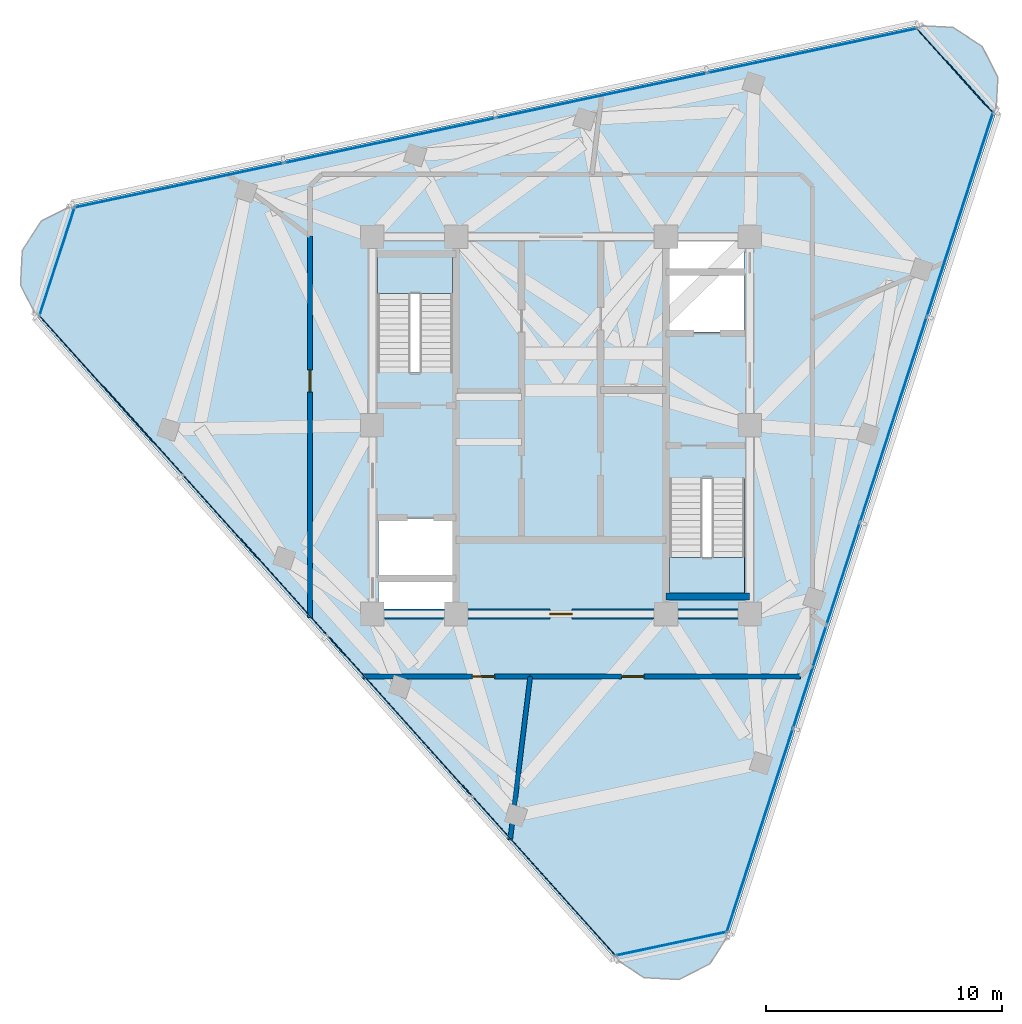
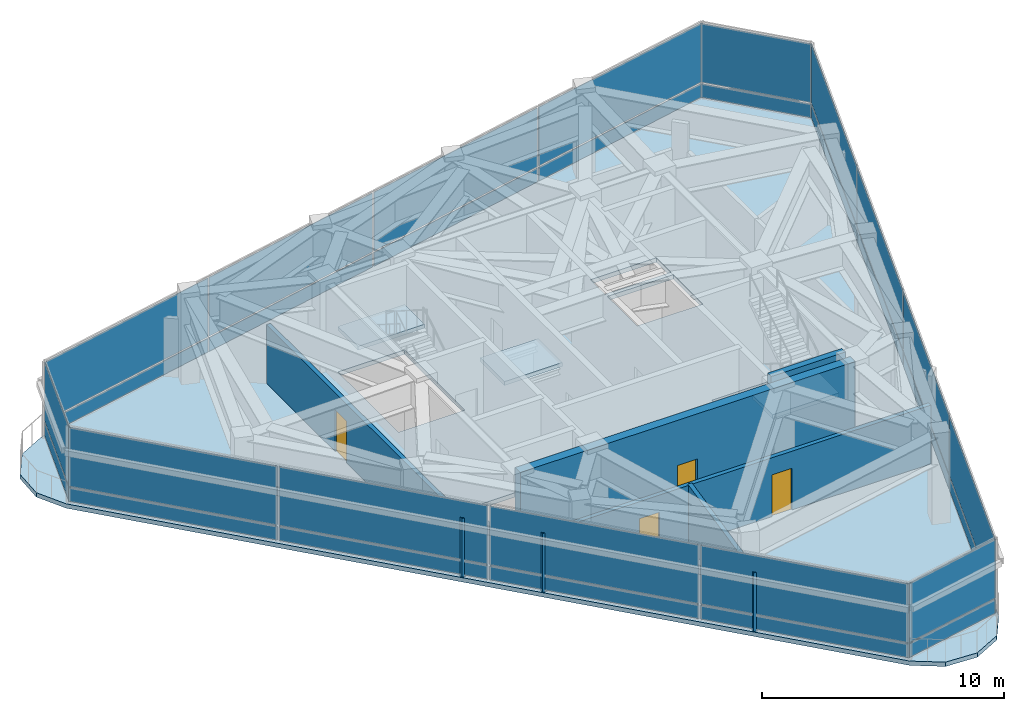
# One storey, part 6 of 10: 30 plates, 6 walls, 4 doors, 4 slabs, 4 openings, 8 elements without a shape of their own.
"""IFC4 building model written with IfcOpenShell, lengths in metres."""

from ifc_helpers import new_model, si_unit, direction, frame, frame_2d, origin, origin_2d, place, context, subcontext, project, spatial, polyline, rectangle, outline, extrude, material, layer, layer_set, type_object, element, fill, aggregate, save


model = new_model("IFC4")

# Units and contexts
model_context = context("Model", 3, precision=1e-05, world=origin(), true_north=direction((0.0, 1.0)))
body_context = subcontext(model_context, "Body", "Model", "MODEL_VIEW")
ifc_project = project(units=[si_unit("LENGTHUNIT", "METRE"), si_unit("AREAUNIT", "SQUARE_METRE"), si_unit("VOLUMEUNIT", "CUBIC_METRE"), si_unit("PLANEANGLEUNIT", "RADIAN"), si_unit("MASSUNIT", "GRAM", prefix="KILO")], contexts=[model_context])

# Site, building, storey
site_placement = place(None, origin())
site = spatial("IfcSite", under=ifc_project, at=site_placement, CompositionType="ELEMENT")
building_placement = place(site_placement, origin())
building = spatial("IfcBuilding", under=site, at=building_placement, Name="Terralouvre Media Tower", CompositionType="ELEMENT")
storey_placement = place(building_placement, frame((0.0, 0.0, 317.39990234375)))
storey = spatial("IfcBuildingStorey", under=building, at=storey_placement, Name="L82", CompositionType="ELEMENT", Elevation=317.39990234375)

# Slabs
ifc_material_1 = material(Name="Concrete C40/50", Category="concrete")
ifc_layer_1 = layer(ifc_material_1, 0.219970703125, Name="Crown Plant and Catwalk Slab S-CRN220")
ifc_layer_set_1 = layer_set([ifc_layer_1], Name="Concrete C40/50")
slab_type_1 = type_object("IfcSlabType", Name="Crown Plant and Catwalk Slab S-CRN220", PredefinedType="FLOOR", material=ifc_layer_set_1)
slab_1_placement = place(storey_placement, frame((0.0, 0.0, -0.219970703125), z_axis=(0.0, 0.0, 1.0), x_axis=(0.309016994375, 0.951056516295, 0.0)))
element("IfcSlab", 1, at=slab_1_placement, inside=storey, type_object=slab_type_1, Name="L82 Structural Floor Slab", PredefinedType="FLOOR", context=body_context, shape_type="SweptSolid", body=[
    extrude(outline(polyline([(-20.818115234375, -9.16943359375), (-21.199951171875, -10.594482421875), (-20.818115234375, -12.019287109375), (-19.77490234375, -13.0625), (-18.35009765625, -13.4443359375), (18.35009765625, -13.4443359375), (19.77490234375, -13.0625), (20.818115234375, -12.019287109375), (21.199951171875, -10.594482421875), (20.818115234375, -9.16943359375), (2.46826171875, 22.61376953125), (1.425048828125, 23.656982421875), (0.0, 24.038818359375), (-1.425048828125, 23.656982421875), (-2.46826171875, 22.61376953125), (-20.818115234375, -9.16943359375)]), holes=[polyline([(-8.671875, 5.3310546875), (-7.698486328125, 2.33544921875), (-8.839599609375, 1.964599609375), (-9.813232421875, 4.96044921875), (-8.671875, 5.3310546875)]), polyline([(-5.17822265625, 3.154296875), (-7.50830078125, 2.397216796875), (-8.481689453125, 5.39306640625), (-6.151611328125, 6.150146484375), (-5.17822265625, 3.154296875)]), polyline([(-5.483154296875, -6.618408203125), (-0.713623046875, -5.068603515625), (0.26904296875, -8.093017578125), (-4.50048828125, -9.642578125), (-5.483154296875, -6.618408203125)]), polyline([(4.50048828125, 9.642578125), (5.483154296875, 6.618408203125), (0.713623046875, 5.068603515625), (-0.26904296875, 8.093017578125), (4.50048828125, 9.642578125)]), polyline([(8.481689453125, -5.39306640625), (6.151611328125, -6.150146484375), (5.17822265625, -3.154296875), (7.50830078125, -2.397216796875), (8.481689453125, -5.39306640625)]), polyline([(9.813232421875, -4.96044921875), (8.671875, -5.3310546875), (7.698486328125, -2.33544921875), (8.839599609375, -1.964599609375), (9.813232421875, -4.96044921875)])]), origin(), (0.0, 0.0, 1.0), 0.219970703125),
])
ifc_material_2 = material(Name="Concrete C50/60", Category="concrete")
ifc_layer_2 = layer(ifc_material_2, 0.199951171875, Name="Lift Pit and Overrun Structural Slab SL-LP200")
ifc_layer_set_2 = layer_set([ifc_layer_2], Name="Concrete C50/60")
slab_type_2 = type_object("IfcSlabType", Name="Lift Pit and Overrun Structural Slab SL-LP200", PredefinedType="FLOOR", material=ifc_layer_set_2)
slab_2_placement = place(storey_placement, frame((0.0, 0.0, 3.0)))
element("IfcSlab", 2, at=slab_2_placement, inside=storey, type_object=slab_type_2, Name="CSL-01 Lift Pit Base Slab", PredefinedType="FLOOR", context=body_context, shape_type="SweptSolid", body=[
    extrude(outline(polyline([(-4.449951171875, -0.75), (-1.679931640625, -0.75), (-1.679931640625, 1.25), (-4.449951171875, 1.25), (-4.449951171875, -0.75)])), origin(), (0.0, 0.0, 1.0), 0.2001953125),
])

# Stair, slab
ifc_material_3 = material(Name="Concrete C45/55", Category="concrete")
stair_type_1 = type_object("IfcStairType", Name="Dogleg Stair Assembly ST-01", PredefinedType="HALF_TURN_STAIR", material=ifc_material_3)
stair_1_placement = place(storey_placement, origin())
stair_1 = element("IfcStair", 3, at=stair_1_placement, inside=storey, type_object=stair_type_1, Name="L82 Core Pressurised Exit Stair ST-01", PredefinedType="HALF_TURN_STAIR")
ifc_material_4 = material(Name="Concrete C45/55", Category="concrete")
ifc_layer_3 = layer(ifc_material_4, 0.199951171875, Name="Reinforced Concrete Stair Half-Landing SL-LD1")
ifc_layer_set_3 = layer_set([ifc_layer_3], Name="Concrete C45/55")
slab_type_3 = type_object("IfcSlabType", Name="Reinforced Concrete Stair Half-Landing SL-LD1", PredefinedType="LANDING", material=ifc_layer_set_3)
slab_3_placement = place(storey_placement, frame((0.0, 0.0, 2.10009765625)))
slab_3 = element("IfcSlab", 4, at=slab_3_placement, type_object=slab_type_3, Name="ST-01 landing 1", PredefinedType="LANDING", context=body_context, shape_type="SweptSolid", body=[
    extrude(outline(polyline([(-4.60009765625, 5.60009765625), (-4.60009765625, 7.260009765625), (-7.780029296875, 7.260009765625), (-7.780029296875, 5.60009765625), (-4.60009765625, 5.60009765625)])), origin(), (0.0, 0.0, 1.0), 0.199951171875),
])
aggregate(stair_1, [slab_3])

ifc_material_5 = material(Name="Concrete C45/55", Category="concrete")
stair_type_2 = type_object("IfcStairType", Name="Dogleg Stair Assembly ST-02", PredefinedType="HALF_TURN_STAIR", material=ifc_material_5)
stair_2_placement = place(storey_placement, origin())
stair_2 = element("IfcStair", 5, at=stair_2_placement, inside=storey, type_object=stair_type_2, Name="L82 Core Pressurised Exit Stair ST-02", PredefinedType="HALF_TURN_STAIR")
slab_4_placement = place(storey_placement, frame((0.0, 0.0, 2.10009765625)))
slab_4 = element("IfcSlab", 6, at=slab_4_placement, type_object=slab_type_3, Name="ST-02 landing 1", PredefinedType="LANDING", context=body_context, shape_type="SweptSolid", body=[
    extrude(outline(polyline([(4.60009765625, -5.60009765625), (4.60009765625, -7.260009765625), (7.780029296875, -7.260009765625), (7.780029296875, -5.60009765625), (4.60009765625, -5.60009765625)])), origin(), (0.0, 0.0, 1.0), 0.199951171875),
])
aggregate(stair_2, [slab_4])

# Curtain wall, plates
ifc_material_6 = material(Name="Low-iron laminated double glazing with solar-control coating", Category="glass")
ifc_layer_4 = layer(ifc_material_6, 0.1650390625, Name="Rounded Wind-Corner Curved Glazing CW-04")
ifc_layer_set_4 = layer_set([ifc_layer_4], Name="Low-iron laminated double glazing with solar-control coating")
curtain_wall_type_1 = type_object("IfcCurtainWallType", Name="Rounded Wind-Corner Curved Glazing CW-04", PredefinedType="NOTDEFINED", material=ifc_layer_set_4)
curtain_wall_1_placement = place(storey_placement, origin())
curtain_wall_1 = element("IfcCurtainWall", 7, at=curtain_wall_1_placement, inside=storey, type_object=curtain_wall_type_1, Name="L82 Rounded Wind-Corner Curtain Wall C0", PredefinedType="NOTDEFINED")
ifc_material_7 = material(Name="Low-iron laminated double glazing with solar-control coating", Category="glass")
ifc_layer_5 = layer(ifc_material_7, 0.0400390625, Name="Rounded Corner Laminated Vision Panel CWP-03")
ifc_layer_set_5 = layer_set([ifc_layer_5], Name="Low-iron laminated double glazing with solar-control coating")
plate_type_1 = type_object("IfcPlateType", Name="Rounded Corner Laminated Vision Panel CWP-03", PredefinedType="CURTAIN_PANEL", material=ifc_layer_set_5)
plate_1_placement = place(storey_placement, frame((4.672607421875, -21.982666015625, 0.0751953125), z_axis=(0.0, 0.0, 1.0), x_axis=(0.978147723559, 0.207911112968, 0.0)))
plate_1 = element("IfcPlate", 8, at=plate_1_placement, type_object=plate_type_1, Name="CW-04 panel 1.1", PredefinedType="CURTAIN_PANEL", context=body_context, shape_type="SweptSolid", body=[
    extrude(rectangle(XDim=4.786376953125, YDim=0.035888671875, at=origin_2d()), origin(), (0.0, 0.0, 1.0), 0.6875),
])
plate_2_placement = place(storey_placement, frame((4.672607421875, -21.982666015625, 0.83740234375), z_axis=(0.0, 0.0, 1.0), x_axis=(0.978147723559, 0.207911112968, 0.0)))
plate_2 = element("IfcPlate", 9, at=plate_2_placement, type_object=plate_type_1, Name="CW-04 panel 1.2", PredefinedType="CURTAIN_PANEL", context=body_context, shape_type="SweptSolid", body=[
    extrude(rectangle(XDim=4.786376953125, YDim=0.035888671875, at=origin_2d()), origin(), (0.0, 0.0, 1.0), 2.967529296875),
])
aggregate(curtain_wall_1, [plate_1, plate_2])

curtain_wall_2_placement = place(storey_placement, origin())
curtain_wall_2 = element("IfcCurtainWall", 10, at=curtain_wall_2_placement, inside=storey, type_object=curtain_wall_type_1, Name="L82 Rounded Wind-Corner Curtain Wall C1", PredefinedType="NOTDEFINED")
plate_3_placement = place(storey_placement, frame((16.701171875, 15.037841796875, 0.0751953125), z_axis=(0.0, 0.0, 1.0), x_axis=(-0.669130583518, 0.743144846043, 0.0)))
plate_3 = element("IfcPlate", 11, at=plate_3_placement, type_object=plate_type_1, Name="CW-04 panel 1.1", PredefinedType="CURTAIN_PANEL", context=body_context, shape_type="SweptSolid", body=[
    extrude(rectangle(XDim=4.786376953125, YDim=0.035888671875, at=origin_2d()), origin(), (0.0, 0.0, 1.0), 0.6875),
])
plate_4_placement = place(storey_placement, frame((16.701171875, 15.037841796875, 0.83740234375), z_axis=(0.0, 0.0, 1.0), x_axis=(-0.669130583518, 0.743144846043, 0.0)))
plate_4 = element("IfcPlate", 12, at=plate_4_placement, type_object=plate_type_1, Name="CW-04 panel 1.2", PredefinedType="CURTAIN_PANEL", context=body_context, shape_type="SweptSolid", body=[
    extrude(rectangle(XDim=4.786376953125, YDim=0.035888671875, at=origin_2d()), origin(), (0.0, 0.0, 1.0), 2.967529296875),
])
aggregate(curtain_wall_2, [plate_3, plate_4])

curtain_wall_3_placement = place(storey_placement, origin())
curtain_wall_3 = element("IfcCurtainWall", 13, at=curtain_wall_3_placement, inside=storey, type_object=curtain_wall_type_1, Name="L82 Rounded Wind-Corner Curtain Wall C2", PredefinedType="NOTDEFINED")
plate_5_placement = place(storey_placement, frame((-21.373779296875, 6.94482421875, 0.0751953125), z_axis=(0.0, 0.0, 1.0), x_axis=(-0.30901818637, -0.951056128992, 0.0)))
plate_5 = element("IfcPlate", 14, at=plate_5_placement, type_object=plate_type_1, Name="CW-04 panel 1.1", PredefinedType="CURTAIN_PANEL", context=body_context, shape_type="SweptSolid", body=[
    extrude(rectangle(XDim=4.786376953125, YDim=0.035888671875, at=origin_2d()), origin(), (0.0, 0.0, 1.0), 0.6875),
])
plate_6_placement = place(storey_placement, frame((-21.373779296875, 6.94482421875, 0.83740234375), z_axis=(0.0, 0.0, 1.0), x_axis=(-0.30901818637, -0.951056128992, 0.0)))
plate_6 = element("IfcPlate", 15, at=plate_6_placement, type_object=plate_type_1, Name="CW-04 panel 1.2", PredefinedType="CURTAIN_PANEL", context=body_context, shape_type="SweptSolid", body=[
    extrude(rectangle(XDim=4.786376953125, YDim=0.035888671875, at=origin_2d()), origin(), (0.0, 0.0, 1.0), 2.967529296875),
])
aggregate(curtain_wall_3, [plate_5, plate_6])

ifc_material_8 = material(Name="Low-iron laminated double glazing with solar-control coating", Category="glass")
ifc_layer_6 = layer(ifc_material_8, 0.1650390625, Name="Faceted Glass-Point Crown Curtain Wall CW-06")
ifc_layer_set_6 = layer_set([ifc_layer_6], Name="Low-iron laminated double glazing with solar-control coating")
curtain_wall_type_2 = type_object("IfcCurtainWallType", Name="Faceted Glass-Point Crown Curtain Wall CW-06", PredefinedType="NOTDEFINED", material=ifc_layer_set_6)
curtain_wall_4_placement = place(storey_placement, origin())
curtain_wall_4 = element("IfcCurtainWall", 16, at=curtain_wall_4_placement, inside=storey, type_object=curtain_wall_type_2, Name="L82 Facade Curtain Wall F0", PredefinedType="NOTDEFINED")
ifc_material_9 = material(Name="Low-iron laminated double glazing with solar-control coating", Category="glass")
ifc_layer_7 = layer(ifc_material_9, 0.035888671875, Name="Vision Double-Glazed Unit CWP-01")
ifc_layer_set_7 = layer_set([ifc_layer_7], Name="Low-iron laminated double glazing with solar-control coating")
plate_type_2 = type_object("IfcPlateType", Name="Vision Double-Glazed Unit CWP-01", PredefinedType="CURTAIN_PANEL", material=ifc_layer_set_7)
plate_7_placement = place(storey_placement, frame((8.42529296875, -17.1884765625, 0.0751953125), z_axis=(0.0, 0.0, 1.0), x_axis=(0.309017102933, 0.951056481023, 0.0)))
plate_7 = element("IfcPlate", 17, at=plate_7_placement, type_object=plate_type_2, Name="CW-06 panel 1.1", PredefinedType="CURTAIN_PANEL", context=body_context, shape_type="SweptSolid", body=[
    extrude(rectangle(XDim=9.0625, YDim=0.035888671875, at=origin_2d()), origin(), (0.0, 0.0, 1.0), 0.6875),
])
plate_8_placement = place(storey_placement, frame((8.42529296875, -17.1884765625, 0.83740234375), z_axis=(0.0, 0.0, 1.0), x_axis=(0.309017102933, 0.951056481023, 0.0)))
plate_8 = element("IfcPlate", 18, at=plate_8_placement, type_object=plate_type_2, Name="CW-06 panel 1.2", PredefinedType="CURTAIN_PANEL", context=body_context, shape_type="SweptSolid", body=[
    extrude(rectangle(XDim=9.0625, YDim=0.035888671875, at=origin_2d()), origin(), (0.0, 0.0, 1.0), 2.967529296875),
])
plate_9_placement = place(storey_placement, frame((11.254638671875, -8.48046875, 0.0751953125), z_axis=(0.0, 0.0, 1.0), x_axis=(0.309017102933, 0.951056481023, 0.0)))
plate_9 = element("IfcPlate", 19, at=plate_9_placement, type_object=plate_type_2, Name="CW-06 panel 2.1", PredefinedType="CURTAIN_PANEL", context=body_context, shape_type="SweptSolid", body=[
    extrude(rectangle(XDim=9.10009765625, YDim=0.035888671875, at=origin_2d()), origin(), (0.0, 0.0, 1.0), 0.6875),
])
plate_10_placement = place(storey_placement, frame((11.254638671875, -8.48046875, 0.83740234375), z_axis=(0.0, 0.0, 1.0), x_axis=(0.309017102933, 0.951056481023, 0.0)))
plate_10 = element("IfcPlate", 20, at=plate_10_placement, type_object=plate_type_2, Name="CW-06 panel 2.2", PredefinedType="CURTAIN_PANEL", context=body_context, shape_type="SweptSolid", body=[
    extrude(rectangle(XDim=9.10009765625, YDim=0.035888671875, at=origin_2d()), origin(), (0.0, 0.0, 1.0), 2.967529296875),
])
plate_11_placement = place(storey_placement, frame((14.08984375, 0.24560546875, 0.0751953125), z_axis=(0.0, 0.0, 1.0), x_axis=(0.309017102933, 0.951056481023, 0.0)))
plate_11 = element("IfcPlate", 21, at=plate_11_placement, type_object=plate_type_2, Name="CW-06 panel 3.1", PredefinedType="CURTAIN_PANEL", context=body_context, shape_type="SweptSolid", body=[
    extrude(rectangle(XDim=9.10009765625, YDim=0.035888671875, at=origin_2d()), origin(), (0.0, 0.0, 1.0), 0.6875),
])
plate_12_placement = place(storey_placement, frame((14.08984375, 0.24560546875, 0.83740234375), z_axis=(0.0, 0.0, 1.0), x_axis=(0.309017102933, 0.951056481023, 0.0)))
plate_12 = element("IfcPlate", 22, at=plate_12_placement, type_object=plate_type_2, Name="CW-06 panel 3.2", PredefinedType="CURTAIN_PANEL", context=body_context, shape_type="SweptSolid", body=[
    extrude(rectangle(XDim=9.10009765625, YDim=0.035888671875, at=origin_2d()), origin(), (0.0, 0.0, 1.0), 2.967529296875),
])
plate_13_placement = place(storey_placement, frame((16.919189453125, 8.95361328125, 0.0751953125), z_axis=(0.0, 0.0, 1.0), x_axis=(0.309017102933, 0.951056481023, 0.0)))
plate_13 = element("IfcPlate", 23, at=plate_13_placement, type_object=plate_type_2, Name="CW-06 panel 4.1", PredefinedType="CURTAIN_PANEL", context=body_context, shape_type="SweptSolid", body=[
    extrude(rectangle(XDim=9.0625, YDim=0.035888671875, at=origin_2d()), origin(), (0.0, 0.0, 1.0), 0.6875),
])
plate_14_placement = place(storey_placement, frame((16.919189453125, 8.95361328125, 0.83740234375), z_axis=(0.0, 0.0, 1.0), x_axis=(0.309017102933, 0.951056481023, 0.0)))
plate_14 = element("IfcPlate", 24, at=plate_14_placement, type_object=plate_type_2, Name="CW-06 panel 4.2", PredefinedType="CURTAIN_PANEL", context=body_context, shape_type="SweptSolid", body=[
    extrude(rectangle(XDim=9.0625, YDim=0.035888671875, at=origin_2d()), origin(), (0.0, 0.0, 1.0), 2.967529296875),
])
aggregate(curtain_wall_4, [plate_7, plate_8, plate_9, plate_10, plate_11, plate_12, plate_13, plate_14])

curtain_wall_5_placement = place(storey_placement, origin())
curtain_wall_5 = element("IfcCurtainWall", 25, at=curtain_wall_5_placement, inside=storey, type_object=curtain_wall_type_2, Name="L82 Facade Curtain Wall F1", PredefinedType="NOTDEFINED")
plate_15_placement = place(storey_placement, frame((10.673095703125, 15.890625, 0.0751953125), z_axis=(0.0, 0.0, 1.0), x_axis=(-0.978147587304, -0.207911754001, 0.0)))
plate_15 = element("IfcPlate", 26, at=plate_15_placement, type_object=plate_type_2, Name="CW-06 panel 1.1", PredefinedType="CURTAIN_PANEL", context=body_context, shape_type="SweptSolid", body=[
    extrude(rectangle(XDim=9.0625, YDim=0.035888671875, at=origin_2d()), origin(), (0.0, 0.0, 1.0), 0.6875),
])
plate_16_placement = place(storey_placement, frame((10.673095703125, 15.890625, 0.83740234375), z_axis=(0.0, 0.0, 1.0), x_axis=(-0.978147587304, -0.207911754001, 0.0)))
plate_16 = element("IfcPlate", 27, at=plate_16_placement, type_object=plate_type_2, Name="CW-06 panel 1.2", PredefinedType="CURTAIN_PANEL", context=body_context, shape_type="SweptSolid", body=[
    extrude(rectangle(XDim=9.0625, YDim=0.035888671875, at=origin_2d()), origin(), (0.0, 0.0, 1.0), 2.967529296875),
])
plate_17_placement = place(storey_placement, frame((1.717041015625, 13.987060546875, 0.0751953125), z_axis=(0.0, 0.0, 1.0), x_axis=(-0.978147587304, -0.207911754001, 0.0)))
plate_17 = element("IfcPlate", 28, at=plate_17_placement, type_object=plate_type_2, Name="CW-06 panel 2.1", PredefinedType="CURTAIN_PANEL", context=body_context, shape_type="SweptSolid", body=[
    extrude(rectangle(XDim=9.10009765625, YDim=0.035888671875, at=origin_2d()), origin(), (0.0, 0.0, 1.0), 0.6875),
])
plate_18_placement = place(storey_placement, frame((1.717041015625, 13.987060546875, 0.83740234375), z_axis=(0.0, 0.0, 1.0), x_axis=(-0.978147587304, -0.207911754001, 0.0)))
plate_18 = element("IfcPlate", 29, at=plate_18_placement, type_object=plate_type_2, Name="CW-06 panel 2.2", PredefinedType="CURTAIN_PANEL", context=body_context, shape_type="SweptSolid", body=[
    extrude(rectangle(XDim=9.10009765625, YDim=0.035888671875, at=origin_2d()), origin(), (0.0, 0.0, 1.0), 2.967529296875),
])
plate_19_placement = place(storey_placement, frame((-7.257568359375, 12.079345703125, 0.0751953125), z_axis=(0.0, 0.0, 1.0), x_axis=(-0.978147587304, -0.207911754001, 0.0)))
plate_19 = element("IfcPlate", 30, at=plate_19_placement, type_object=plate_type_2, Name="CW-06 panel 3.1", PredefinedType="CURTAIN_PANEL", context=body_context, shape_type="SweptSolid", body=[
    extrude(rectangle(XDim=9.10009765625, YDim=0.035888671875, at=origin_2d()), origin(), (0.0, 0.0, 1.0), 0.6875),
])
plate_20_placement = place(storey_placement, frame((-7.257568359375, 12.079345703125, 0.83740234375), z_axis=(0.0, 0.0, 1.0), x_axis=(-0.978147587304, -0.207911754001, 0.0)))
plate_20 = element("IfcPlate", 31, at=plate_20_placement, type_object=plate_type_2, Name="CW-06 panel 3.2", PredefinedType="CURTAIN_PANEL", context=body_context, shape_type="SweptSolid", body=[
    extrude(rectangle(XDim=9.10009765625, YDim=0.035888671875, at=origin_2d()), origin(), (0.0, 0.0, 1.0), 2.967529296875),
])
plate_21_placement = place(storey_placement, frame((-16.213623046875, 10.17578125, 0.0751953125), z_axis=(0.0, 0.0, 1.0), x_axis=(-0.978147587304, -0.207911754001, 0.0)))
plate_21 = element("IfcPlate", 32, at=plate_21_placement, type_object=plate_type_2, Name="CW-06 panel 4.1", PredefinedType="CURTAIN_PANEL", context=body_context, shape_type="SweptSolid", body=[
    extrude(rectangle(XDim=9.0625, YDim=0.035888671875, at=origin_2d()), origin(), (0.0, 0.0, 1.0), 0.6875),
])
plate_22_placement = place(storey_placement, frame((-16.213623046875, 10.17578125, 0.83740234375), z_axis=(0.0, 0.0, 1.0), x_axis=(-0.978147587304, -0.207911754001, 0.0)))
plate_22 = element("IfcPlate", 33, at=plate_22_placement, type_object=plate_type_2, Name="CW-06 panel 4.2", PredefinedType="CURTAIN_PANEL", context=body_context, shape_type="SweptSolid", body=[
    extrude(rectangle(XDim=9.0625, YDim=0.035888671875, at=origin_2d()), origin(), (0.0, 0.0, 1.0), 2.967529296875),
])
aggregate(curtain_wall_5, [plate_15, plate_16, plate_17, plate_18, plate_19, plate_20, plate_21, plate_22])

curtain_wall_6_placement = place(storey_placement, origin())
curtain_wall_6 = element("IfcCurtainWall", 34, at=curtain_wall_6_placement, inside=storey, type_object=curtain_wall_type_2, Name="L82 Facade Curtain Wall F2", PredefinedType="NOTDEFINED")
plate_23_placement = place(storey_placement, frame((-19.098388671875, 1.2978515625, 0.0751953125), z_axis=(0.0, 0.0, 1.0), x_axis=(0.669130490949, -0.743144929393, 0.0)))
plate_23 = element("IfcPlate", 35, at=plate_23_placement, type_object=plate_type_2, Name="CW-06 panel 1.1", PredefinedType="CURTAIN_PANEL", context=body_context, shape_type="SweptSolid", body=[
    extrude(rectangle(XDim=9.0625, YDim=0.035888671875, at=origin_2d()), origin(), (0.0, 0.0, 1.0), 0.6875),
])
plate_24_placement = place(storey_placement, frame((-19.098388671875, 1.2978515625, 0.83740234375), z_axis=(0.0, 0.0, 1.0), x_axis=(0.669130490949, -0.743144929393, 0.0)))
plate_24 = element("IfcPlate", 36, at=plate_24_placement, type_object=plate_type_2, Name="CW-06 panel 1.2", PredefinedType="CURTAIN_PANEL", context=body_context, shape_type="SweptSolid", body=[
    extrude(rectangle(XDim=9.0625, YDim=0.035888671875, at=origin_2d()), origin(), (0.0, 0.0, 1.0), 2.967529296875),
])
plate_25_placement = place(storey_placement, frame((-12.9716796875, -5.506591796875, 0.0751953125), z_axis=(0.0, 0.0, 1.0), x_axis=(0.669130490949, -0.743144929393, 0.0)))
plate_25 = element("IfcPlate", 37, at=plate_25_placement, type_object=plate_type_2, Name="CW-06 panel 2.1", PredefinedType="CURTAIN_PANEL", context=body_context, shape_type="SweptSolid", body=[
    extrude(rectangle(XDim=9.10009765625, YDim=0.035888671875, at=origin_2d()), origin(), (0.0, 0.0, 1.0), 0.6875),
])
plate_26_placement = place(storey_placement, frame((-12.9716796875, -5.506591796875, 0.83740234375), z_axis=(0.0, 0.0, 1.0), x_axis=(0.669130490949, -0.743144929393, 0.0)))
plate_26 = element("IfcPlate", 38, at=plate_26_placement, type_object=plate_type_2, Name="CW-06 panel 2.2", PredefinedType="CURTAIN_PANEL", context=body_context, shape_type="SweptSolid", body=[
    extrude(rectangle(XDim=9.10009765625, YDim=0.035888671875, at=origin_2d()), origin(), (0.0, 0.0, 1.0), 2.967529296875),
])
plate_27_placement = place(storey_placement, frame((-6.832275390625, -12.324951171875, 0.0751953125), z_axis=(0.0, 0.0, 1.0), x_axis=(0.669130490949, -0.743144929393, 0.0)))
plate_27 = element("IfcPlate", 39, at=plate_27_placement, type_object=plate_type_2, Name="CW-06 panel 3.1", PredefinedType="CURTAIN_PANEL", context=body_context, shape_type="SweptSolid", body=[
    extrude(rectangle(XDim=9.10009765625, YDim=0.035888671875, at=origin_2d()), origin(), (0.0, 0.0, 1.0), 0.6875),
])
plate_28_placement = place(storey_placement, frame((-6.832275390625, -12.324951171875, 0.83740234375), z_axis=(0.0, 0.0, 1.0), x_axis=(0.669130490949, -0.743144929393, 0.0)))
plate_28 = element("IfcPlate", 40, at=plate_28_placement, type_object=plate_type_2, Name="CW-06 panel 3.2", PredefinedType="CURTAIN_PANEL", context=body_context, shape_type="SweptSolid", body=[
    extrude(rectangle(XDim=9.10009765625, YDim=0.035888671875, at=origin_2d()), origin(), (0.0, 0.0, 1.0), 2.967529296875),
])
plate_29_placement = place(storey_placement, frame((-0.70556640625, -19.12939453125, 0.0751953125), z_axis=(0.0, 0.0, 1.0), x_axis=(0.669130490949, -0.743144929393, 0.0)))
plate_29 = element("IfcPlate", 41, at=plate_29_placement, type_object=plate_type_2, Name="CW-06 panel 4.1", PredefinedType="CURTAIN_PANEL", context=body_context, shape_type="SweptSolid", body=[
    extrude(rectangle(XDim=9.0625, YDim=0.035888671875, at=origin_2d()), origin(), (0.0, 0.0, 1.0), 0.6875),
])
plate_30_placement = place(storey_placement, frame((-0.70556640625, -19.12939453125, 0.83740234375), z_axis=(0.0, 0.0, 1.0), x_axis=(0.669130490949, -0.743144929393, 0.0)))
plate_30 = element("IfcPlate", 42, at=plate_30_placement, type_object=plate_type_2, Name="CW-06 panel 4.2", PredefinedType="CURTAIN_PANEL", context=body_context, shape_type="SweptSolid", body=[
    extrude(rectangle(XDim=9.0625, YDim=0.035888671875, at=origin_2d()), origin(), (0.0, 0.0, 1.0), 2.967529296875),
])
aggregate(curtain_wall_6, [plate_23, plate_24, plate_25, plate_26, plate_27, plate_28, plate_29, plate_30])

# Wall
ifc_material_10 = material(Name="Concrete C50/60", Category="concrete")
ifc_layer_8 = layer(ifc_material_10, 0.300048828125, Name="Core Internal Shaft Wall CW-300")
ifc_layer_set_8 = layer_set([ifc_layer_8], Name="Concrete C50/60")
wall_type_1 = type_object("IfcWallType", Name="Core Internal Shaft Wall CW-300", PredefinedType="SHEAR", material=ifc_layer_set_8)
wall_1_placement = place(storey_placement, frame((4.449951171875, -7.260009765625, 0.0), z_axis=(0.0, 0.0, 1.0), x_axis=(1.0, 0.0, 0.0)))
element("IfcWall", 43, at=wall_1_placement, inside=storey, type_object=wall_type_1, Name="L82 Core Shaft Wall ST2F", PredefinedType="SHEAR", context=body_context, shape_type="SweptSolid", body=[
    extrude(rectangle(XDim=3.550048828125, YDim=0.300048828125, at=frame_2d((1.77490234375, 0.0))), origin(), (0.0, 0.0, 1.0), 4.380126953125),
])

# Wall, opening, door
ifc_material_11 = material(Name="Concrete C60/75", Category="concrete")
ifc_layer_9 = layer(ifc_material_11, 0.419921875, Name="Core Reinforced Concrete Shear Wall CW-420")
ifc_layer_set_9 = layer_set([ifc_layer_9], Name="Concrete C60/75")
wall_type_2 = type_object("IfcWallType", Name="Core Reinforced Concrete Shear Wall CW-420", PredefinedType="SHEAR", material=ifc_layer_set_9)
wall_2_placement = place(storey_placement, frame((-8.0, -8.0, 0.0), z_axis=(0.0, 0.0, 1.0), x_axis=(1.0, 0.0, 0.0)))
wall_2 = element("IfcWall", 44, at=wall_2_placement, inside=storey, type_object=wall_type_2, Name="L82 S Core Shear Wall", PredefinedType="SHEAR", context=body_context, shape_type="SweptSolid", body=[
    extrude(rectangle(XDim=16.0, YDim=0.419921875, at=frame_2d((8.0, 0.0))), origin(), (0.0, 0.0, 1.0), 4.380126953125),
])
opening_1_placement = place(wall_2_placement, frame((7.52001953125, 0.0, 0.0)))
opening_1 = element("IfcOpeningElement", 45, at=opening_1_placement, cuts=wall_2, Name="Opening FD-02-95X210", PredefinedType="OPENING", context=body_context, shape_type="SweptSolid", body=[
    extrude(rectangle(XDim=0.949951171875, YDim=2.10009765625, at=frame_2d((0.47509765625, 1.050048828125))), frame((0.0, 0.219970703125, 0.0), z_axis=(0.0, -1.0, 0.0), x_axis=(1.0, 0.0, 0.0)), (0.0, 0.0, 1.0), 0.43994140625),
])
ifc_material_12 = material(Name="Galvanised steel fire-resisting leaf", Category="steel")
door_type = type_object("IfcDoorType", Name="Plant and Riser Fire Door FD-02 (950x2100)", OperationType="NOTDEFINED", PredefinedType="DOOR", material=ifc_material_12)
door_1_placement = place(opening_1_placement, origin())
door_1 = element("IfcDoor", 46, at=door_1_placement, inside=storey, type_object=door_type, Name="L82 Core Switchgear Plant Door", OperationType="SINGLE_SWING_LEFT", OverallHeight=2.10009765625, OverallWidth=0.949951171875, PredefinedType="DOOR", context=body_context, shape_type="SweptSolid", body=[
    extrude(rectangle(XDim=0.949951171875, YDim=2.10009765625, at=frame_2d((0.47509765625, 1.050048828125))), frame((0.0, 0.02490234375, 0.0), z_axis=(0.0, -1.0, 0.0), x_axis=(1.0, 0.0, 0.0)), (0.0, 0.0, 1.0), 0.050048828125),
])
fill(opening_1, door_1)

ifc_material_13 = material(Name="Fire-rated gypsum board drywall partition")
ifc_layer_10 = layer(ifc_material_13, 0.199951171875, Name="Fire-Rated Shaft and Lobby Partition FW-200")
ifc_layer_set_10 = layer_set([ifc_layer_10], Name="Fire-rated gypsum board drywall partition")
wall_type_3 = type_object("IfcWallType", Name="Fire-Rated Shaft and Lobby Partition FW-200", PredefinedType="SOLIDWALL", material=ifc_layer_set_10)
wall_3_placement = place(storey_placement, frame((-8.394287109375, -10.64990234375, 0.0), z_axis=(0.0, 0.0, 1.0), x_axis=(1.0, 0.0, 0.0)))
wall_3 = element("IfcWall", 47, at=wall_3_placement, inside=storey, type_object=wall_type_3, Name="L82 Interior Partition 001", PredefinedType="SOLIDWALL", context=body_context, shape_type="SweptSolid", body=[
    extrude(rectangle(XDim=7.086181640625, YDim=0.199951171875, at=frame_2d((3.54296875, 0.0))), origin(), (0.0, 0.0, 1.0), 2.965087890625),
])
opening_2_placement = place(wall_3_placement, frame((4.627197265625, 0.0, 0.0)))
opening_2 = element("IfcOpeningElement", 48, at=opening_2_placement, cuts=wall_3, Name="Opening FD-02-95X210", PredefinedType="OPENING", context=body_context, shape_type="SweptSolid", body=[
    extrude(rectangle(XDim=0.949951171875, YDim=2.10009765625, at=frame_2d((0.47509765625, 1.050048828125))), frame((0.0, 0.10986328125, 0.0), z_axis=(0.0, -1.0, 0.0), x_axis=(1.0, 0.0, 0.0)), (0.0, 0.0, 1.0), 0.219970703125),
])
door_2_placement = place(opening_2_placement, origin())
door_2 = element("IfcDoor", 49, at=door_2_placement, inside=storey, type_object=door_type, Name="L82 L82 High-Zone Chiller and Heat-Rejection Plant Room Door", OperationType="SINGLE_SWING_RIGHT", OverallHeight=2.10009765625, OverallWidth=0.949951171875, PredefinedType="DOOR", context=body_context, shape_type="SweptSolid", body=[
    extrude(rectangle(XDim=0.949951171875, YDim=2.10009765625, at=frame_2d((0.47509765625, 1.050048828125))), frame((0.0, 0.02490234375, 0.0), z_axis=(0.0, -1.0, 0.0), x_axis=(1.0, 0.0, 0.0)), (0.0, 0.0, 1.0), 0.050048828125),
])
fill(opening_2, door_2)

wall_4_placement = place(storey_placement, frame((-1.30810546875, -10.64990234375, 0.0), z_axis=(0.0, 0.0, 1.0), x_axis=(1.0, 0.0, 0.0)))
wall_4 = element("IfcWall", 50, at=wall_4_placement, inside=storey, type_object=wall_type_3, Name="L82 Interior Partition 002", PredefinedType="SOLIDWALL", context=body_context, shape_type="SweptSolid", body=[
    extrude(rectangle(XDim=11.4580078125, YDim=0.199951171875, at=frame_2d((5.72900390625, 0.0))), origin(), (0.0, 0.0, 1.0), 2.965087890625),
])
opening_3_placement = place(wall_4_placement, frame((3.87890625, 0.0, 0.0)))
opening_3 = element("IfcOpeningElement", 51, at=opening_3_placement, cuts=wall_4, Name="Opening FD-02-95X210", PredefinedType="OPENING", context=body_context, shape_type="SweptSolid", body=[
    extrude(rectangle(XDim=0.949951171875, YDim=2.10009765625, at=frame_2d((0.47509765625, 1.050048828125))), frame((0.0, 0.10986328125, 0.0), z_axis=(0.0, -1.0, 0.0), x_axis=(1.0, 0.0, 0.0)), (0.0, 0.0, 1.0), 0.219970703125),
])
door_3_placement = place(opening_3_placement, origin())
door_3 = element("IfcDoor", 52, at=door_3_placement, inside=storey, type_object=door_type, Name="L82 L82 Dehumidification Air-Handling AHU Plant Room Door", OperationType="SINGLE_SWING_LEFT", OverallHeight=2.10009765625, OverallWidth=0.949951171875, PredefinedType="DOOR", context=body_context, shape_type="SweptSolid", body=[
    extrude(rectangle(XDim=0.949951171875, YDim=2.10009765625, at=frame_2d((0.47509765625, 1.050048828125))), frame((0.0, 0.02490234375, 0.0), z_axis=(0.0, -1.0, 0.0), x_axis=(1.0, 0.0, 0.0)), (0.0, 0.0, 1.0), 0.050048828125),
])
fill(opening_3, door_3)

wall_5_placement = place(storey_placement, frame((-10.64990234375, 8.02490234375, 0.0), z_axis=(0.0, 0.0, 1.0), x_axis=(0.0, -1.0, 0.0)))
wall_5 = element("IfcWall", 53, at=wall_5_placement, inside=storey, type_object=wall_type_3, Name="L82 Interior Partition 012", PredefinedType="SOLIDWALL", context=body_context, shape_type="SweptSolid", body=[
    extrude(rectangle(XDim=16.169677734375, YDim=0.199951171875, at=frame_2d((8.0849609375, 0.0))), origin(), (0.0, 0.0, 1.0), 2.965087890625),
])
opening_4_placement = place(wall_5_placement, frame((5.66943359375, 0.0, 0.0)))
opening_4 = element("IfcOpeningElement", 54, at=opening_4_placement, cuts=wall_5, Name="Opening FD-02-95X210", PredefinedType="OPENING", context=body_context, shape_type="SweptSolid", body=[
    extrude(rectangle(XDim=0.949951171875, YDim=2.10009765625, at=frame_2d((0.47509765625, 1.050048828125))), frame((0.0, 0.10986328125, 0.0), z_axis=(0.0, -1.0, 0.0), x_axis=(1.0, 0.0, 0.0)), (0.0, 0.0, 1.0), 0.219970703125),
])
door_4_placement = place(opening_4_placement, origin())
door_4 = element("IfcDoor", 55, at=door_4_placement, inside=storey, type_object=door_type, Name="L82 L82 Microwave Relay UPS Battery Plant Room Door", OperationType="SINGLE_SWING_LEFT", OverallHeight=2.10009765625, OverallWidth=0.949951171875, PredefinedType="DOOR", context=body_context, shape_type="SweptSolid", body=[
    extrude(rectangle(XDim=0.949951171875, YDim=2.10009765625, at=frame_2d((0.47509765625, 1.050048828125))), frame((0.0, 0.02490234375, 0.0), z_axis=(0.0, -1.0, 0.0), x_axis=(1.0, 0.0, 0.0)), (0.0, 0.0, 1.0), 0.050048828125),
])
fill(opening_4, door_4)

# Wall
wall_6_placement = place(storey_placement, frame((-2.158447265625, -17.575439453125, 0.0), z_axis=(0.0, 0.0, 1.0), x_axis=(0.12186832175, 0.992546277084, 0.0)))
element("IfcWall", 56, at=wall_6_placement, inside=storey, type_object=wall_type_3, Name="L82 Interior Partition 013", PredefinedType="SOLIDWALL", context=body_context, shape_type="SweptSolid", body=[
    extrude(rectangle(XDim=6.9775390625, YDim=0.199951171875, at=frame_2d((3.48876953125, 0.0))), origin(), (0.0, 0.0, 1.0), 2.965087890625),
])

save(model, "model.ifc")
